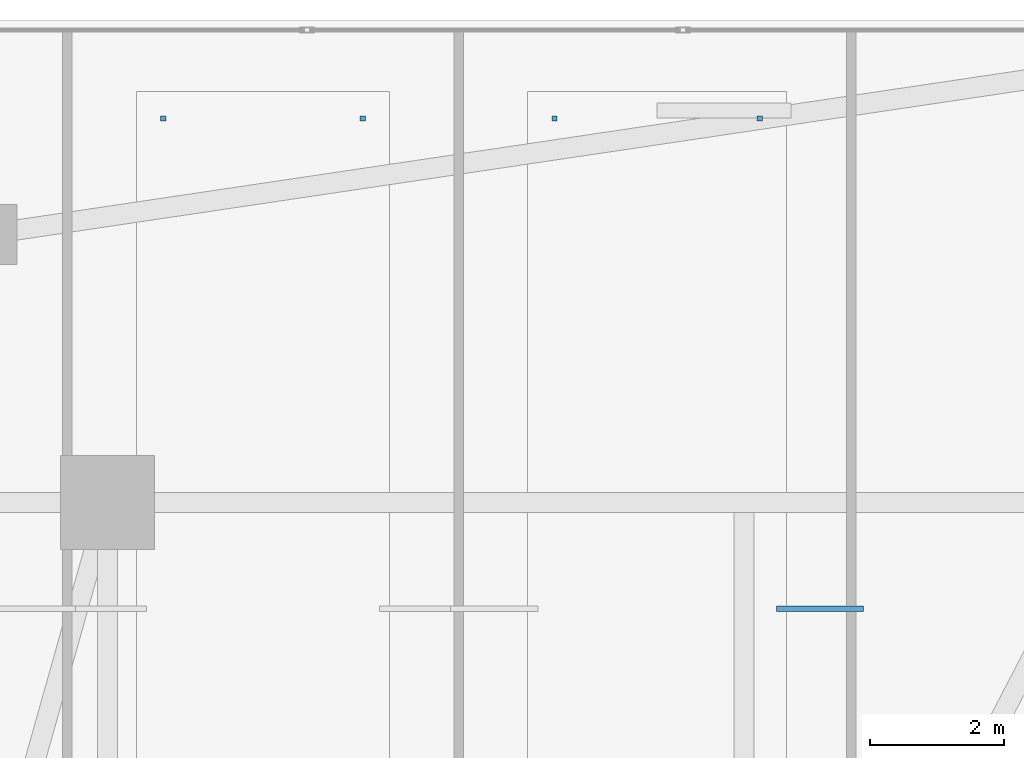
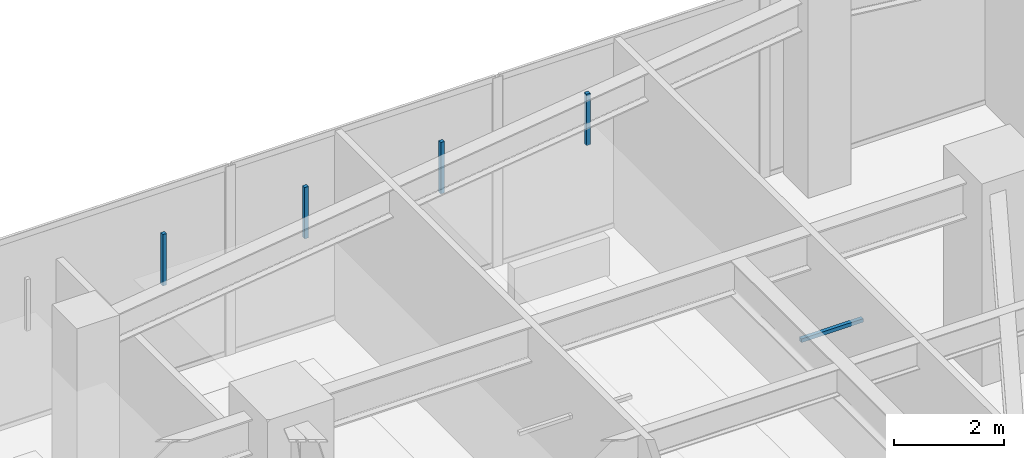
# One storey, part 24 of 29: 5 discrete accessories.
"""IFC4 building model written with IfcOpenShell, lengths in metres."""

from ifc_helpers import new_model, si_unit, direction, frame, origin, origin_2d, place, context, subcontext, project, spatial, rectangle, extrude, material, type_object, element, save


model = new_model("IFC4")

# Units and contexts
model_context = context("Model", 3, precision=1e-05, world=origin(), true_north=direction((0.0, 1.0)))
body_context = subcontext(model_context, "Body", "Model", "MODEL_VIEW")
ifc_project = project(units=[si_unit("LENGTHUNIT", "METRE"), si_unit("AREAUNIT", "SQUARE_METRE"), si_unit("VOLUMEUNIT", "CUBIC_METRE"), si_unit("PLANEANGLEUNIT", "RADIAN"), si_unit("MASSUNIT", "GRAM", prefix="KILO")], contexts=[model_context])

# Site, building, storey
site_placement = place(None, origin())
site = spatial("IfcSite", under=ifc_project, at=site_placement, CompositionType="ELEMENT")
building_placement = place(site_placement, origin())
building = spatial("IfcBuilding", under=site, at=building_placement, Name="Tarnavaz Court Tower", CompositionType="ELEMENT")
storey_placement = place(building_placement, frame((0.0, 0.0, 5.39990234375)))
storey = spatial("IfcBuildingStorey", under=building, at=storey_placement, Name="L01", CompositionType="ELEMENT", Elevation=5.39990234375)

# Discrete accessories
ifc_material = material(Name="Anodised Aluminium 6063-T6", Category="aluminium")
discrete_accessory_type = type_object("IfcDiscreteAccessoryType", Name="DA-BRKT-ALU", PredefinedType="BRACKET", material=ifc_material)
for number, where, z_axis, x_axis, name in (
    (1, (-11.18994140625, 28.530029296875, 3.09033203125), (0.0, 0.0, 1.0), (1.0, 0.0, 0.0), "L01 Ceiling Suspension Hanger Bracket 02-3"),
    (2, (-14.169921875, 28.530029296875, 3.09033203125), (0.0, 0.0, 1.0), (1.0, 0.0, 0.0), "L01 Ceiling Suspension Hanger Bracket 02-4"),
    (3, (-5.27001953125, 28.530029296875, 3.09033203125), (0.0, 0.0, 1.0), (1.0, 0.0, 0.0), "L01 Ceiling Suspension Hanger Bracket 03-3"),
    (4, (-8.330078125, 28.530029296875, 3.09033203125), (0.0, 0.0, 1.0), (1.0, 0.0, 0.0), "L01 Ceiling Suspension Hanger Bracket 03-4"),
):
    element("IfcDiscreteAccessory", number, at=place(storey_placement, frame(where, z_axis=z_axis, x_axis=x_axis)), inside=storey, type_object=discrete_accessory_type, Name=name, PredefinedType="BRACKET", context=body_context, shape_type="SweptSolid", body=[
        extrude(rectangle(XDim=0.080078125, YDim=0.080078125, at=origin_2d()), origin(), (0.0, 0.0, 1.0), 1.139892578125),
    ])
discrete_accessory_placement = place(storey_placement, frame((-4.3701171875, 21.215087890625, 3.052490234375), z_axis=(0.0, 0.0, 1.0), x_axis=(1.0, 0.0, 0.0)))
element("IfcDiscreteAccessory", 5, at=discrete_accessory_placement, inside=storey, type_object=discrete_accessory_type, Name="L01 Ceiling Perimeter Wall-Tie Bracket 03-2", PredefinedType="BRACKET", context=body_context, shape_type="SweptSolid", body=[
    extrude(rectangle(XDim=1.300048828125, YDim=0.080078125, at=origin_2d()), origin(), (0.0, 0.0, 1.0), 0.080078125),
])

save(model, "model.ifc")
